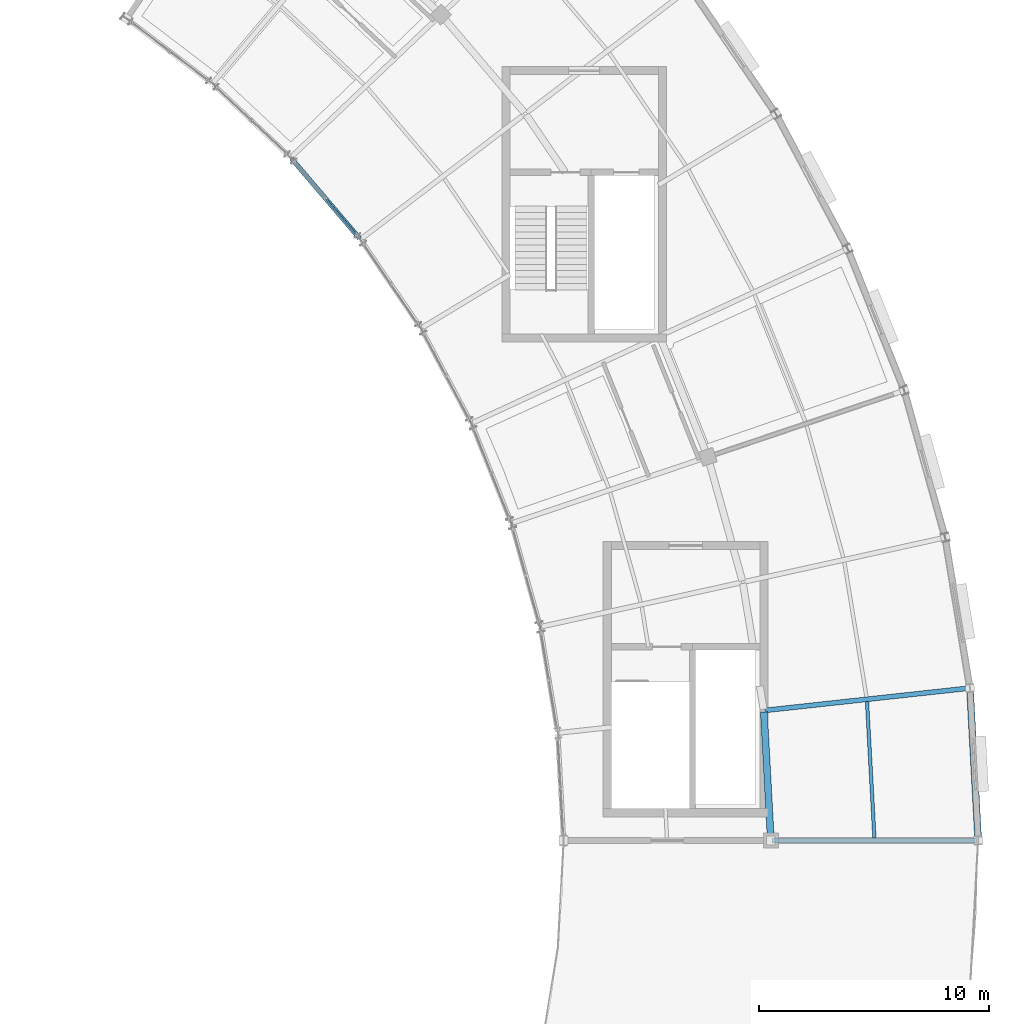
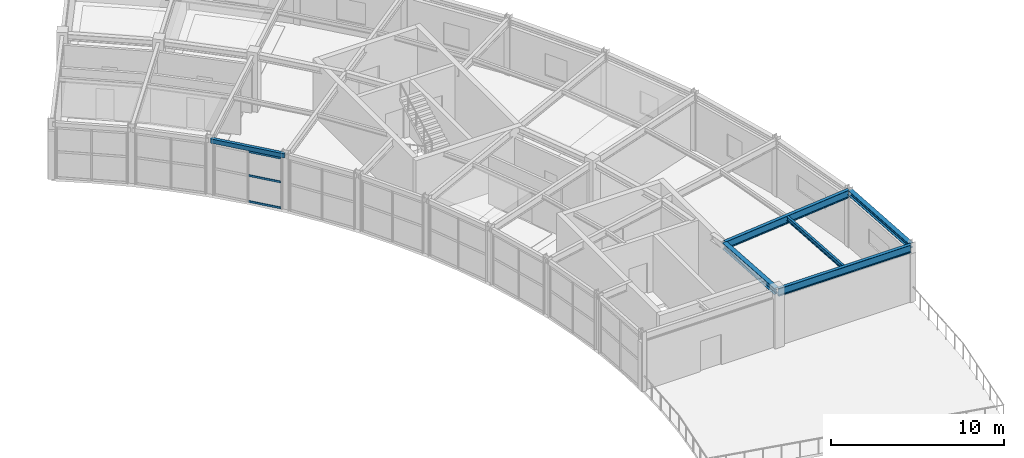
# One storey, part 7 of 29: 6 beams, 3 members, 1 element without a shape of its own.
"""IFC4 building model written with IfcOpenShell, lengths in metres."""

from ifc_helpers import new_model, si_unit, direction, frame, origin, origin_2d, place, context, subcontext, project, spatial, hollow_rectangle, i_section, extrude, material, material_profile, profile_set, type_object, element, aggregate, save


model = new_model("IFC4")

# Units and contexts
model_context = context("Model", 3, precision=1e-05, world=origin(), true_north=direction((0.0, 1.0)))
body_context = subcontext(model_context, "Body", "Model", "MODEL_VIEW")
ifc_project = project(units=[si_unit("LENGTHUNIT", "METRE"), si_unit("AREAUNIT", "SQUARE_METRE"), si_unit("VOLUMEUNIT", "CUBIC_METRE"), si_unit("PLANEANGLEUNIT", "RADIAN"), si_unit("MASSUNIT", "GRAM", prefix="KILO")], contexts=[model_context])

# Site, building, storey
site_placement = place(None, origin())
site = spatial("IfcSite", under=ifc_project, at=site_placement, CompositionType="ELEMENT")
building_placement = place(site_placement, origin())
building = spatial("IfcBuilding", under=site, at=building_placement, Name="Tarnveldt Headland Concert Hall", CompositionType="ELEMENT")
storey_placement = place(building_placement, frame((0.0, 0.0, 18.60009765625)))
storey = spatial("IfcBuildingStorey", under=building, at=storey_placement, Name="L04", CompositionType="ELEMENT", Elevation=18.60009765625)

# Beams
ifc_material_1 = material(Name="Steel S355", Category="steel")
ifc_material_profile_1 = material_profile(ifc_material_1, i_section(OverallWidth=0.300048828125, OverallDepth=0.35009765625, WebThickness=0.010009765625, FlangeThickness=0.017578125, FilletRadius=0.027099609375, at=origin_2d()), Name="HEA360", Category="steel")
ifc_profile_set_1 = profile_set([ifc_material_profile_1], Name="Steel S355")
beam_type_1 = type_object("IfcBeamType", Name="SB-HEA360", PredefinedType="SPANDREL", material=ifc_profile_set_1)
beam_1_placement = place(storey_placement, frame((178.49658203125, 60.059814453125, 3.829833984375), z_axis=(-0.054263670447, 0.998526641642, 0.0), x_axis=(-0.998526641642, -0.054263670447, 0.0)))
element("IfcBeam", 1, at=beam_1_placement, inside=storey, type_object=beam_type_1, Name="Framing beam L04-1359", PredefinedType="SPANDREL", context=body_context, shape_type="SweptSolid", body=[
    extrude(i_section(OverallWidth=0.300048828125, OverallDepth=0.35009765625, WebThickness=0.010009765625, FlangeThickness=0.017578125, FilletRadius=0.027099609375, at=origin_2d()), origin(), (0.0, 0.0, 1.0), 6.501220703125),
])
ifc_material_profile_2 = material_profile(ifc_material_1, i_section(OverallWidth=0.300048828125, OverallDepth=0.43994140625, WebThickness=0.011474609375, FlangeThickness=0.02099609375, FilletRadius=0.027099609375, at=origin_2d()), Name="HEA450", Category="steel")
ifc_profile_set_2 = profile_set([ifc_material_profile_2], Name="Steel S355")
beam_type_2 = type_object("IfcBeamType", Name="SB-HEA450", PredefinedType="BEAM", material=ifc_profile_set_2)
beam_2_placement = place(storey_placement, frame((169.49658203125, 60.059814453125, 3.784912109375), z_axis=(-0.054224156809, 0.998528788177, 0.0), x_axis=(-0.998528788177, -0.054224156809, 0.0)))
element("IfcBeam", 2, at=beam_2_placement, inside=storey, type_object=beam_type_2, Name="Framing beam L04-1358", PredefinedType="BEAM", context=body_context, shape_type="SweptSolid", body=[
    extrude(i_section(OverallWidth=0.300048828125, OverallDepth=0.43994140625, WebThickness=0.011474609375, FlangeThickness=0.02099609375, FilletRadius=0.027099609375, at=origin_2d()), origin(), (0.0, 0.0, 1.0), 5.5244140625),
])
ifc_material_profile_3 = material_profile(ifc_material_1, i_section(OverallWidth=0.14990234375, OverallDepth=0.300048828125, WebThickness=0.007080078125, FlangeThickness=0.0107421875, FilletRadius=0.014892578125, at=origin_2d()), Name="IPE300", Category="steel")
ifc_profile_set_3 = profile_set([ifc_material_profile_3], Name="Steel S355")
beam_type_3 = type_object("IfcBeamType", Name="SB-IPE300", PredefinedType="JOIST", material=ifc_profile_set_3)
beam_3_placement = place(storey_placement, frame((173.994384765625, 60.104736328125, 3.85498046875), z_axis=(-0.054287396326, 0.998525352007, 0.0), x_axis=(-0.998525352007, -0.054287396326, 0.0)))
element("IfcBeam", 3, at=beam_3_placement, inside=storey, type_object=beam_type_3, Name="Framing beam L04-1361", PredefinedType="JOIST", context=body_context, shape_type="SweptSolid", body=[
    extrude(i_section(OverallWidth=0.14990234375, OverallDepth=0.300048828125, WebThickness=0.007080078125, FlangeThickness=0.0107421875, FilletRadius=0.014892578125, at=origin_2d()), origin(), (0.0, 0.0, 1.0), 5.9228515625),
])
ifc_material_profile_4 = material_profile(ifc_material_1, i_section(OverallWidth=0.2099609375, OverallDepth=0.550048828125, WebThickness=0.010986328125, FlangeThickness=0.01708984375, FilletRadius=0.02392578125, at=origin_2d()), Name="IPE550", Category="steel")
ifc_profile_set_4 = profile_set([ifc_material_profile_4], Name="Steel S355")
beam_type_4 = type_object("IfcBeamType", Name="SB-IPE550", PredefinedType="BEAM", material=ifc_profile_set_4)
for number, where, z_axis, x_axis, name in (
    (4, (169.56005859375, 60.0, 3.72998046875), (1.0, 0.0, 0.0), (0.0, 1.0, 0.0), "Framing beam L04-1356"),
    (5, (169.25341796875, 65.642578125, 3.72998046875), (0.994109611255, 0.108379337562, 0.0), (-0.108379337562, 0.994109611255, 0.0), "Framing beam L04-1363"),
):
    element("IfcBeam", number, at=place(storey_placement, frame(where, z_axis=z_axis, x_axis=x_axis)), inside=storey, type_object=beam_type_4, Name=name, PredefinedType="BEAM", context=body_context, shape_type="SweptSolid", body=[
        extrude(i_section(OverallWidth=0.2099609375, OverallDepth=0.550048828125, WebThickness=0.010986328125, FlangeThickness=0.01708984375, FilletRadius=0.02392578125, at=origin_2d()), origin(), (0.0, 0.0, 1.0), 8.8798828125),
    ])
ifc_material_profile_5 = material_profile(ifc_material_1, hollow_rectangle(XDim=0.199951171875, YDim=0.300048828125, WallThickness=0.012451171875, at=origin_2d()), Name="RHS 300x200x12.5", Category="steel")
ifc_profile_set_5 = profile_set([ifc_material_profile_5], Name="Steel S355")
beam_type_5 = type_object("IfcBeamType", Name="SB-RHS300", PredefinedType="SPANDREL", material=ifc_profile_set_5)
beam_4_placement = place(storey_placement, frame((151.6513671875, 86.123046875, 3.829833984375), z_axis=(-0.648715315983, 0.761031168093, 0.0), x_axis=(-0.761031168093, -0.648715315983, 0.0)))
element("IfcBeam", 6, at=beam_4_placement, inside=storey, type_object=beam_type_5, Name="Framing beam L04-1399", PredefinedType="SPANDREL", context=body_context, shape_type="SweptSolid", body=[
    extrude(hollow_rectangle(XDim=0.199951171875, YDim=0.300048828125, WallThickness=0.012451171875, at=origin_2d()), origin(), (0.0, 0.0, 1.0), 4.54736328125),
])

# Curtain wall, members
ifc_material_2 = material(Name="Marine-anodised aluminium EN AW-6063-T6", Category="aluminium")
curtain_wall_type = type_object("IfcCurtainWallType", Name="CW-C5", PredefinedType="NOTDEFINED", material=ifc_material_2)
curtain_wall_placement = place(storey_placement, origin())
curtain_wall = element("IfcCurtainWall", 7, at=curtain_wall_placement, inside=storey, type_object=curtain_wall_type, Name="Curtain wall CW-L04-153", PredefinedType="NOTDEFINED")
ifc_material_profile_6 = material_profile(ifc_material_2, hollow_rectangle(XDim=0.06494140625, YDim=0.139892578125, WallThickness=0.00390625, at=origin_2d()), Name="ALU TRANSOM 65x140x4", Category="aluminium")
ifc_profile_set_6 = profile_set([ifc_material_profile_6], Name="Marine-anodised aluminium EN AW-6063-T6")
member_type = type_object("IfcMemberType", Name="TR-140", PredefinedType="MEMBER", material=ifc_profile_set_6)
member_1_placement = place(storey_placement, frame((151.4912109375, 86.31103515625, 0.0498046875), z_axis=(-0.648722497747, 0.761025046182, 0.0), x_axis=(-0.761025046182, -0.648722497747, 0.0)))
member_1 = element("IfcMember", 8, at=member_1_placement, type_object=member_type, Name="Transom CW-L04-153-1-1", PredefinedType="MEMBER", context=body_context, shape_type="SweptSolid", body=[
    extrude(hollow_rectangle(XDim=0.06494140625, YDim=0.139892578125, WallThickness=0.00390625, at=origin_2d()), origin(), (0.0, 0.0, 1.0), 1.98486328125),
])
member_2_placement = place(storey_placement, frame((151.4912109375, 86.31103515625, 1.88232421875), z_axis=(-0.648722497747, 0.761025046182, 0.0), x_axis=(-0.761025046182, -0.648722497747, 0.0)))
member_2 = element("IfcMember", 9, at=member_2_placement, type_object=member_type, Name="Transom CW-L04-153-1-2", PredefinedType="MEMBER", context=body_context, shape_type="SweptSolid", body=[
    extrude(hollow_rectangle(XDim=0.06494140625, YDim=0.139892578125, WallThickness=0.00390625, at=origin_2d()), origin(), (0.0, 0.0, 1.0), 1.98486328125),
])
member_3_placement = place(storey_placement, frame((151.4912109375, 86.31103515625, 3.56982421875), z_axis=(-0.648722497747, 0.761025046182, 0.0), x_axis=(-0.761025046182, -0.648722497747, 0.0)))
member_3 = element("IfcMember", 10, at=member_3_placement, type_object=member_type, Name="Transom CW-L04-153-1-3", PredefinedType="MEMBER", context=body_context, shape_type="SweptSolid", body=[
    extrude(hollow_rectangle(XDim=0.06494140625, YDim=0.139892578125, WallThickness=0.00390625, at=origin_2d()), origin(), (0.0, 0.0, 1.0), 1.98486328125),
])
aggregate(curtain_wall, [member_1, member_2, member_3])

save(model, "model.ifc")
